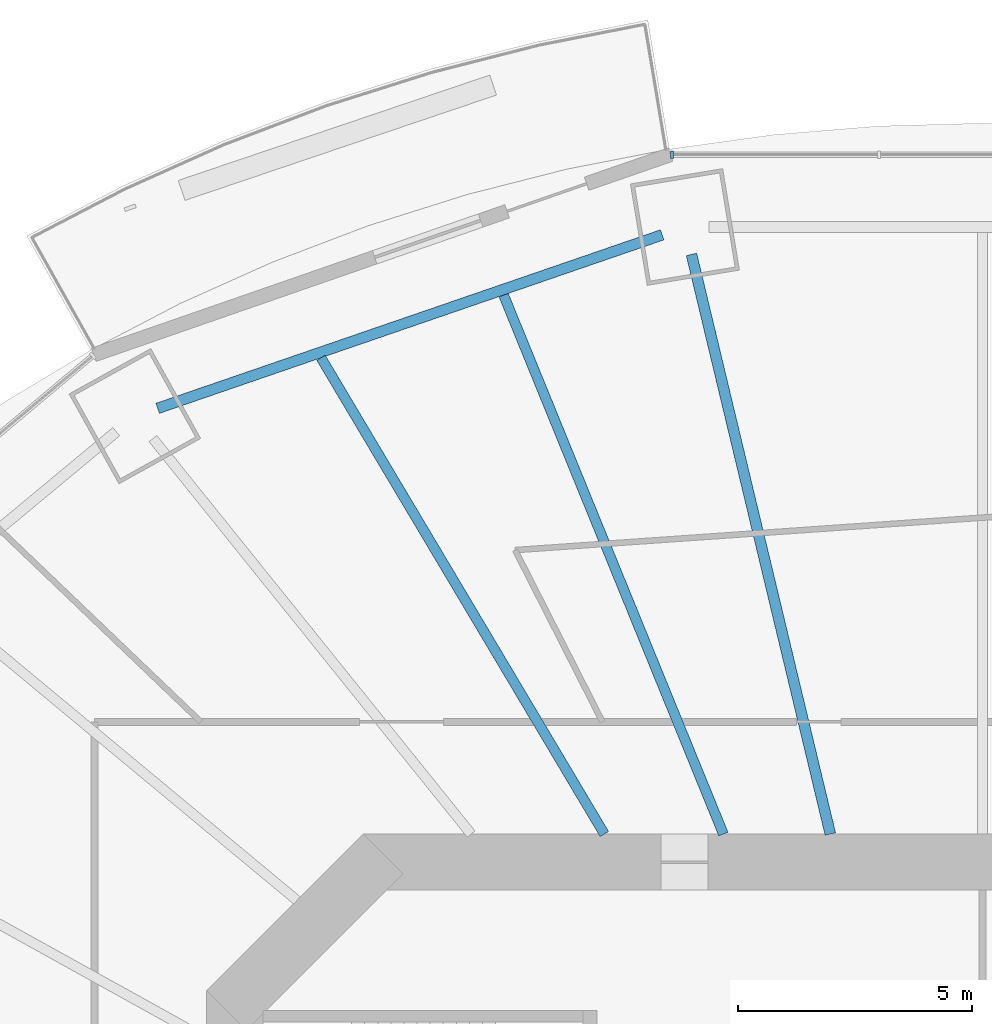
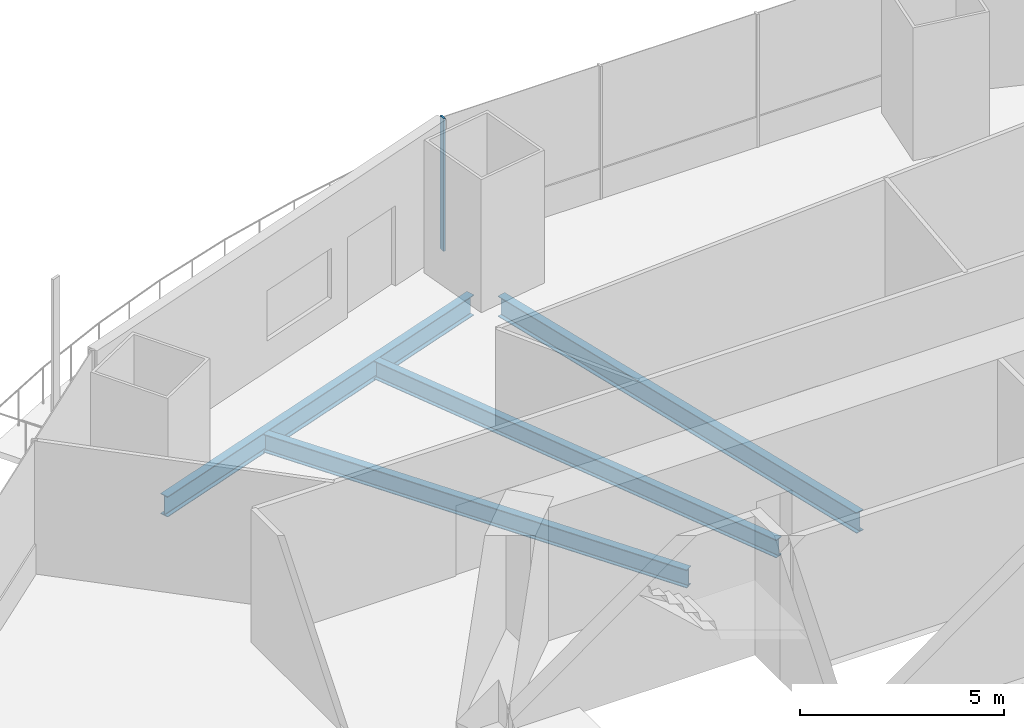
# One storey, part 7 of 22: 4 beams, 1 member, 1 element without a shape of its own.
"""IFC4 building model written with IfcOpenShell, lengths in metres."""

from ifc_helpers import new_model, si_unit, direction, frame, origin, origin_2d, place, context, subcontext, project, spatial, rectangle, i_section, extrude, material, material_profile, profile_set, type_object, element, aggregate, save


model = new_model("IFC4")

# Units and contexts
model_context = context("Model", 3, precision=1e-05, world=origin(), true_north=direction((0.0, 1.0)))
body_context = subcontext(model_context, "Body", "Model", "MODEL_VIEW")
ifc_project = project(units=[si_unit("LENGTHUNIT", "METRE"), si_unit("AREAUNIT", "SQUARE_METRE"), si_unit("VOLUMEUNIT", "CUBIC_METRE"), si_unit("PLANEANGLEUNIT", "RADIAN"), si_unit("MASSUNIT", "GRAM", prefix="KILO")], contexts=[model_context])

# Site, building, storey
site_placement = place(None, origin())
site = spatial("IfcSite", under=ifc_project, at=site_placement, CompositionType="ELEMENT")
building_placement = place(site_placement, origin())
building = spatial("IfcBuilding", under=site, at=building_placement, Name="Marenthal Gate Tower", CompositionType="ELEMENT")
storey_placement = place(building_placement, frame((0.0, 0.0, 107.699951171875)))
storey = spatial("IfcBuildingStorey", under=building, at=storey_placement, Name="L22", CompositionType="ELEMENT", Elevation=107.699951171875)

# Curtain wall, member
ifc_material_1 = material(Name="Aluminium and glass", Category="aluminium")
curtain_wall_type = type_object("IfcCurtainWallType", Name="Curtain wall typical low", PredefinedType="NOTDEFINED", material=ifc_material_1)
curtain_wall_placement = place(storey_placement, origin())
curtain_wall = element("IfcCurtainWall", 1, at=curtain_wall_placement, inside=storey, type_object=curtain_wall_type, Name="Curtain wall L22 bay 4", PredefinedType="NOTDEFINED")
ifc_material_2 = material(Name="Aluminium", Category="aluminium")
ifc_material_profile_1 = material_profile(ifc_material_2, rectangle(XDim=0.159912109375, YDim=0.06005859375, at=origin_2d()), Name="60x160 aluminium mullion")
ifc_profile_set_1 = profile_set([ifc_material_profile_1], Name="Aluminium")
member_type = type_object("IfcMemberType", Name="Mullion 60x160 typical low", PredefinedType="MULLION", material=ifc_profile_set_1)
member_placement = place(storey_placement, frame((-6.647216796875, 28.13671875, 0.0), z_axis=(0.0, 0.0, 1.0), x_axis=(0.0, -1.0, 0.0)))
member = element("IfcMember", 2, at=member_placement, type_object=member_type, Name="Mullion L22 bay 4.4", PredefinedType="MULLION", context=body_context, shape_type="SweptSolid", body=[
    extrude(rectangle(XDim=0.159912109375, YDim=0.06005859375, at=origin_2d()), origin(), (0.0, 0.0, 1.0), 3.969970703125),
])
aggregate(curtain_wall, [member])

# Beams
ifc_material_3 = material(Name="Steel S355", Category="steel")
ifc_material_profile_2 = material_profile(ifc_material_3, i_section(OverallWidth=0.2119140625, OverallDepth=0.5439453125, WebThickness=0.01318359375, FlangeThickness=0.021240234375, FilletRadius=0.0126953125, at=origin_2d()), Name="W530X123")
ifc_profile_set_2 = profile_set([ifc_material_profile_2], Name="Steel S355")
beam_type_1 = type_object("IfcBeamType", Name="W530X123 beam", PredefinedType="BEAM", material=ifc_profile_set_2)
beam_1_placement = place(storey_placement, frame((-10.248291015625, 25.131591796875, -0.451904296875), z_axis=(0.377598266022, -0.925969518665, 0.0), x_axis=(0.925969518665, 0.377598266022, 0.0)))
element("IfcBeam", 3, at=beam_1_placement, inside=storey, type_object=beam_type_1, Name="BM-L22-23", PredefinedType="BEAM", context=body_context, shape_type="SweptSolid", body=[
    extrude(i_section(OverallWidth=0.2119140625, OverallDepth=0.5439453125, WebThickness=0.01318359375, FlangeThickness=0.021240234375, FilletRadius=0.0126953125, at=origin_2d()), origin(), (0.0, 0.0, 1.0), 12.453369140625),
])
beam_2_placement = place(storey_placement, frame((-14.154541015625, 23.7880859375, -0.451904296875), z_axis=(0.511357862228, -0.859367870436, 0.0), x_axis=(0.859367870436, 0.511357862228, 0.0)))
element("IfcBeam", 4, at=beam_2_placement, inside=storey, type_object=beam_type_1, Name="BM-L22-24", PredefinedType="BEAM", context=body_context, shape_type="SweptSolid", body=[
    extrude(i_section(OverallWidth=0.2119140625, OverallDepth=0.5439453125, WebThickness=0.01318359375, FlangeThickness=0.021240234375, FilletRadius=0.0126953125, at=origin_2d()), origin(), (0.0, 0.0, 1.0), 11.855224609375),
])
ifc_material_4 = material(Name="Steel S355", Category="steel")
ifc_material_profile_3 = material_profile(ifc_material_4, i_section(OverallWidth=0.22900390625, OverallDepth=0.612060546875, WebThickness=0.011962890625, FlangeThickness=0.01953125, FilletRadius=0.0126953125, at=origin_2d()), Name="W610X125")
ifc_profile_set_3 = profile_set([ifc_material_profile_3], Name="Steel S355")
beam_type_2 = type_object("IfcBeamType", Name="W610X125 beam", PredefinedType="BEAM", material=ifc_profile_set_3)
beam_3_placement = place(storey_placement, frame((-6.228515625, 26.000732421875, -0.48583984375), z_axis=(0.232968867139, -0.972484193673, 0.0), x_axis=(0.972484193673, 0.232968867139, 0.0)))
element("IfcBeam", 5, at=beam_3_placement, inside=storey, type_object=beam_type_2, Name="BM-L22-05", PredefinedType="BEAM", context=body_context, shape_type="SweptSolid", body=[
    extrude(i_section(OverallWidth=0.22900390625, OverallDepth=0.612060546875, WebThickness=0.011962890625, FlangeThickness=0.01953125, FilletRadius=0.0126953125, at=origin_2d()), origin(), (0.0, 0.0, 1.0), 12.75146484375),
])
beam_4_placement = place(storey_placement, frame((-6.855224609375, 26.419921875, -0.48583984375), z_axis=(-0.945631108542, -0.325241151391, 0.0), x_axis=(0.325241151391, -0.945631108542, 0.0)))
element("IfcBeam", 6, at=beam_4_placement, inside=storey, type_object=beam_type_2, Name="BM-L22-45", PredefinedType="BEAM", context=body_context, shape_type="SweptSolid", body=[
    extrude(i_section(OverallWidth=0.22900390625, OverallDepth=0.612060546875, WebThickness=0.011962890625, FlangeThickness=0.01953125, FilletRadius=0.0126953125, at=origin_2d()), origin(), (0.0, 0.0, 1.0), 11.4150390625),
])

save(model, "model.ifc")
